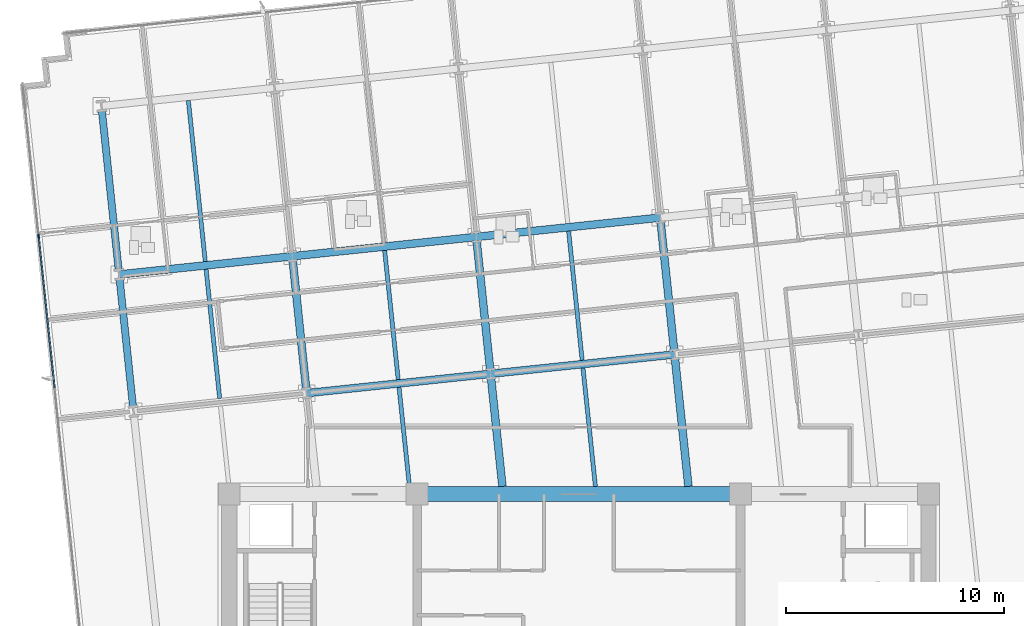
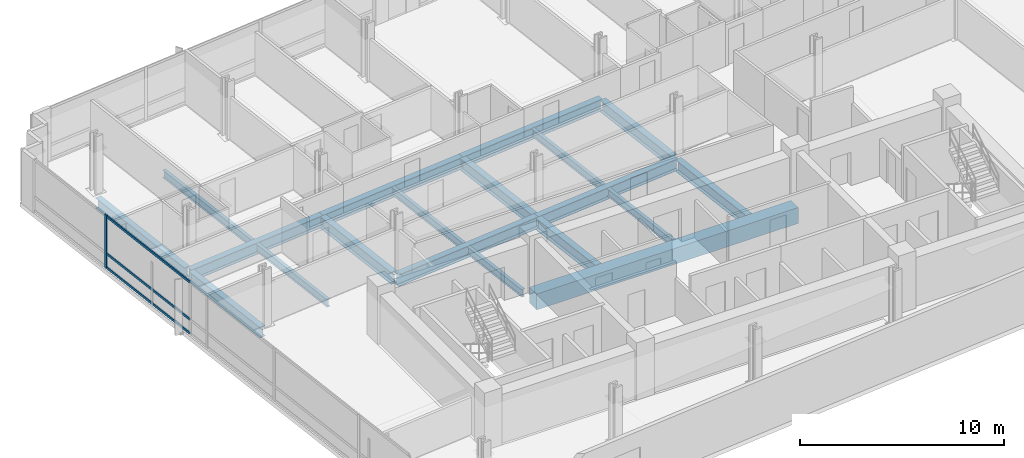
# One storey, part 3 of 18: 19 beams, 4 members, 1 element without a shape of its own.
"""IFC4 building model written with IfcOpenShell, lengths in metres."""

from ifc_helpers import new_model, si_unit, direction, frame, origin, origin_2d, place, context, subcontext, project, spatial, rectangle, i_section, extrude, material, material_profile, profile_set, type_object, element, aggregate, save


model = new_model("IFC4")

# Units and contexts
model_context = context("Model", 3, precision=1e-05, world=origin(), true_north=direction((0.0, 1.0)))
body_context = subcontext(model_context, "Body", "Model", "MODEL_VIEW")
ifc_project = project(units=[si_unit("LENGTHUNIT", "METRE"), si_unit("AREAUNIT", "SQUARE_METRE"), si_unit("VOLUMEUNIT", "CUBIC_METRE"), si_unit("PLANEANGLEUNIT", "RADIAN"), si_unit("MASSUNIT", "GRAM", prefix="KILO")], contexts=[model_context])

# Site, building, storey
site_placement = place(None, origin())
site = spatial("IfcSite", under=ifc_project, at=site_placement, CompositionType="ELEMENT")
building_placement = place(site_placement, origin())
building = spatial("IfcBuilding", under=site, at=building_placement, Name="Solmavex Isthmus Hotel", CompositionType="ELEMENT")
storey_placement = place(building_placement, frame((0.0, 0.0, 120.14990234375)))
storey = spatial("IfcBuildingStorey", under=building, at=storey_placement, Name="L32", CompositionType="ELEMENT", Elevation=120.14990234375)

# Beams
ifc_material_1 = material(Name="Steel ASTM A992 Grade 50", Category="steel")
ifc_material_profile_1 = material_profile(ifc_material_1, i_section(OverallWidth=0.354736328125, OverallDepth=0.695556640625, WebThickness=0.015380859375, FlangeThickness=0.02490234375, FilletRadius=0.017822265625, at=origin_2d()), Name="W27X146")
ifc_profile_set_1 = profile_set([ifc_material_profile_1], Name="Steel ASTM A992 Grade 50")
beam_type_1 = type_object("IfcBeamType", Name="BM-BG-W27X146", PredefinedType="BEAM", material=ifc_profile_set_1)
beam_1_placement = place(storey_placement, frame((-12.458740234375, 2.11865234375, -0.607666015625), z_axis=(0.994521085209, 0.104536171134, 0.0), x_axis=(-0.104536171134, 0.994521085209, 0.0)))
element("IfcBeam", 1, at=beam_1_placement, inside=storey, type_object=beam_type_1, Name="Floor Girder L32-UG08", PredefinedType="BEAM", context=body_context, shape_type="SweptSolid", body=[
    extrude(i_section(OverallWidth=0.354736328125, OverallDepth=0.695556640625, WebThickness=0.015380859375, FlangeThickness=0.02490234375, FilletRadius=0.017822265625, at=origin_2d()), origin(), (0.0, 0.0, 1.0), 8.466064453125),
])
beam_2_placement = place(storey_placement, frame((-4.0390625, 3.003662109375, -0.607666015625), z_axis=(0.994523767887, 0.104510645909, 0.0), x_axis=(-0.104510645909, 0.994523767887, 0.0)))
element("IfcBeam", 2, at=beam_2_placement, inside=storey, type_object=beam_type_1, Name="Floor Girder L32-UG09", PredefinedType="BEAM", context=body_context, shape_type="SweptSolid", body=[
    extrude(i_section(OverallWidth=0.354736328125, OverallDepth=0.695556640625, WebThickness=0.015380859375, FlangeThickness=0.02490234375, FilletRadius=0.017822265625, at=origin_2d()), origin(), (0.0, 0.0, 1.0), 8.4658203125),
])
beam_3_placement = place(storey_placement, frame((-21.04150390625, 7.54931640625, -0.607666015625), z_axis=(0.994523402738, 0.104514120609, 0.0), x_axis=(-0.104514120609, 0.994523402738, 0.0)))
element("IfcBeam", 3, at=beam_3_placement, inside=storey, type_object=beam_type_1, Name="Floor Girder L32-UG13", PredefinedType="BEAM", context=body_context, shape_type="SweptSolid", body=[
    extrude(i_section(OverallWidth=0.354736328125, OverallDepth=0.695556640625, WebThickness=0.015380859375, FlangeThickness=0.02490234375, FilletRadius=0.017822265625, at=origin_2d()), origin(), (0.0, 0.0, 1.0), 7.968017578125),
])
for number, where, z_axis, x_axis, name in (
    (4, (-13.1171875, 8.382080078125, -0.607666015625), (0.994521085209, 0.104536171134, 0.0), (-0.104536171134, 0.994521085209, 0.0), "Floor Girder L32-UG14"),
    (5, (-4.697509765625, 9.26708984375, -0.607666015625), (0.994521085209, 0.104536171134, 0.0), (-0.104536171134, 0.994521085209, 0.0), "Floor Girder L32-UG15"),
):
    element("IfcBeam", number, at=place(storey_placement, frame(where, z_axis=z_axis, x_axis=x_axis)), inside=storey, type_object=beam_type_1, Name=name, PredefinedType="BEAM", context=body_context, shape_type="SweptSolid", body=[
        extrude(i_section(OverallWidth=0.354736328125, OverallDepth=0.695556640625, WebThickness=0.015380859375, FlangeThickness=0.02490234375, FilletRadius=0.017822265625, at=origin_2d()), origin(), (0.0, 0.0, 1.0), 8.466064453125),
    ])
beam_4_placement = place(storey_placement, frame((-12.477294921875, 2.295166015625, -0.607666015625), z_axis=(-0.104545790518, 0.994520074048, 0.0), x_axis=(-0.994520074048, -0.104545790518, 0.0)))
element("IfcBeam", 6, at=beam_4_placement, inside=storey, type_object=beam_type_1, Name="Floor Beam L32-VG30", PredefinedType="BEAM", context=body_context, shape_type="SweptSolid", body=[
    extrude(i_section(OverallWidth=0.354736328125, OverallDepth=0.695556640625, WebThickness=0.015380859375, FlangeThickness=0.02490234375, FilletRadius=0.017822265625, at=origin_2d()), origin(), (0.0, 0.0, 1.0), 5.943115234375),
])
beam_5_placement = place(storey_placement, frame((-3.49755859375, -2.14990234375, -0.607666015625), z_axis=(-0.104496861251, 0.994525216366, 0.0), x_axis=(-0.994525216366, -0.104496861251, 0.0)))
element("IfcBeam", 7, at=beam_5_placement, inside=storey, type_object=beam_type_1, Name="Floor Beam L32-VG33", PredefinedType="BEAM", context=body_context, shape_type="SweptSolid", body=[
    extrude(i_section(OverallWidth=0.354736328125, OverallDepth=0.695556640625, WebThickness=0.015380859375, FlangeThickness=0.02490234375, FilletRadius=0.017822265625, at=origin_2d()), origin(), (0.0, 0.0, 1.0), 5.00439453125),
])
beam_6_placement = place(storey_placement, frame((-4.0576171875, 3.179931640625, -0.607666015625), z_axis=(-0.104545790518, 0.994520074048, 0.0), x_axis=(-0.994520074048, -0.104545790518, 0.0)))
element("IfcBeam", 8, at=beam_6_placement, inside=storey, type_object=beam_type_1, Name="Floor Beam L32-VG34", PredefinedType="BEAM", context=body_context, shape_type="SweptSolid", body=[
    extrude(i_section(OverallWidth=0.354736328125, OverallDepth=0.695556640625, WebThickness=0.015380859375, FlangeThickness=0.02490234375, FilletRadius=0.017822265625, at=origin_2d()), origin(), (0.0, 0.0, 1.0), 5.943115234375),
])
beam_7_placement = place(storey_placement, frame((5.01513671875, -2.14990234375, -0.607666015625), z_axis=(-0.104542482388, 0.994520421799, 0.0), x_axis=(-0.994520421799, -0.104542482388, 0.0)))
element("IfcBeam", 9, at=beam_7_placement, inside=storey, type_object=beam_type_1, Name="Floor Beam L32-VG37", PredefinedType="BEAM", context=body_context, shape_type="SweptSolid", body=[
    extrude(i_section(OverallWidth=0.354736328125, OverallDepth=0.695556640625, WebThickness=0.015380859375, FlangeThickness=0.02490234375, FilletRadius=0.017822265625, at=origin_2d()), origin(), (0.0, 0.0, 1.0), 5.894287109375),
])
beam_8_placement = place(storey_placement, frame((4.362060546875, 4.06494140625, -0.607666015625), z_axis=(-0.104545790518, 0.994520074048, 0.0), x_axis=(-0.994520074048, -0.104545790518, 0.0)))
element("IfcBeam", 10, at=beam_8_placement, inside=storey, type_object=beam_type_1, Name="Floor Beam L32-VG38", PredefinedType="BEAM", context=body_context, shape_type="SweptSolid", body=[
    extrude(i_section(OverallWidth=0.354736328125, OverallDepth=0.695556640625, WebThickness=0.015380859375, FlangeThickness=0.02490234375, FilletRadius=0.017822265625, at=origin_2d()), origin(), (0.0, 0.0, 1.0), 5.943115234375),
])
ifc_material_profile_2 = material_profile(ifc_material_1, i_section(OverallWidth=0.1904296875, OverallDepth=0.456787109375, WebThickness=0.009033203125, FlangeThickness=0.014404296875, FilletRadius=0.0126953125, at=origin_2d()), Name="W18X50")
ifc_profile_set_2 = profile_set([ifc_material_profile_2], Name="Steel ASTM A992 Grade 50")
beam_type_2 = type_object("IfcBeamType", Name="BM-BJ-W18X50", PredefinedType="JOIST", material=ifc_profile_set_2)
beam_9_placement = place(storey_placement, frame((-16.439453125, 1.878662109375, -0.48828125), z_axis=(-0.104545790518, 0.994520074048, 0.0), x_axis=(-0.994520074048, -0.104545790518, 0.0)))
element("IfcBeam", 11, at=beam_9_placement, inside=storey, type_object=beam_type_2, Name="Secondary Floor Joist L32-J03", PredefinedType="JOIST", context=body_context, shape_type="SweptSolid", body=[
    extrude(i_section(OverallWidth=0.1904296875, OverallDepth=0.456787109375, WebThickness=0.009033203125, FlangeThickness=0.014404296875, FilletRadius=0.0126953125, at=origin_2d()), origin(), (0.0, 0.0, 1.0), 5.943115234375),
])
beam_10_placement = place(storey_placement, frame((-17.097900390625, 8.14208984375, -0.48828125), z_axis=(-0.104525307271, 0.994522227072, 0.0), x_axis=(-0.994522227072, -0.104525307271, 0.0)))
element("IfcBeam", 12, at=beam_10_placement, inside=storey, type_object=beam_type_2, Name="Secondary Floor Joist L32-J04", PredefinedType="JOIST", context=body_context, shape_type="SweptSolid", body=[
    extrude(i_section(OverallWidth=0.1904296875, OverallDepth=0.456787109375, WebThickness=0.009033203125, FlangeThickness=0.014404296875, FilletRadius=0.0126953125, at=origin_2d()), origin(), (0.0, 0.0, 1.0), 7.4111328125),
])
beam_11_placement = place(storey_placement, frame((-7.75390625, -2.14990234375, -0.48828125), z_axis=(-0.104517550263, 0.994523042311, 0.0), x_axis=(-0.994523042311, -0.104517550263, 0.0)))
element("IfcBeam", 13, at=beam_11_placement, inside=storey, type_object=beam_type_2, Name="Secondary Floor Joist L32-J06", PredefinedType="JOIST", context=body_context, shape_type="SweptSolid", body=[
    extrude(i_section(OverallWidth=0.1904296875, OverallDepth=0.456787109375, WebThickness=0.009033203125, FlangeThickness=0.014404296875, FilletRadius=0.0126953125, at=origin_2d()), origin(), (0.0, 0.0, 1.0), 4.5595703125),
])
beam_12_placement = place(storey_placement, frame((-8.267578125, 2.737548828125, -0.48828125), z_axis=(-0.104505160346, 0.994524344328, 0.0), x_axis=(-0.994524344328, -0.104505160346, 0.0)))
element("IfcBeam", 14, at=beam_12_placement, inside=storey, type_object=beam_type_2, Name="Secondary Floor Joist L32-J07", PredefinedType="JOIST", context=body_context, shape_type="SweptSolid", body=[
    extrude(i_section(OverallWidth=0.1904296875, OverallDepth=0.456787109375, WebThickness=0.009033203125, FlangeThickness=0.014404296875, FilletRadius=0.0126953125, at=origin_2d()), origin(), (0.0, 0.0, 1.0), 5.943115234375),
])
beam_13_placement = place(storey_placement, frame((0.7587890625, -2.14990234375, -0.48828125), z_axis=(-0.104523862956, 0.99452237887, 0.0), x_axis=(-0.99452237887, -0.104523862956, 0.0)))
element("IfcBeam", 15, at=beam_13_placement, inside=storey, type_object=beam_type_2, Name="Secondary Floor Joist L32-J10", PredefinedType="JOIST", context=body_context, shape_type="SweptSolid", body=[
    extrude(i_section(OverallWidth=0.1904296875, OverallDepth=0.456787109375, WebThickness=0.009033203125, FlangeThickness=0.014404296875, FilletRadius=0.0126953125, at=origin_2d()), origin(), (0.0, 0.0, 1.0), 5.44921875),
])
beam_14_placement = place(storey_placement, frame((0.152099609375, 3.62255859375, -0.48828125), z_axis=(-0.104505160346, 0.994524344328, 0.0), x_axis=(-0.994524344328, -0.104505160346, 0.0)))
element("IfcBeam", 16, at=beam_14_placement, inside=storey, type_object=beam_type_2, Name="Secondary Floor Joist L32-J11", PredefinedType="JOIST", context=body_context, shape_type="SweptSolid", body=[
    extrude(i_section(OverallWidth=0.1904296875, OverallDepth=0.456787109375, WebThickness=0.009033203125, FlangeThickness=0.014404296875, FilletRadius=0.0126953125, at=origin_2d()), origin(), (0.0, 0.0, 1.0), 5.943115234375),
])
ifc_material_2 = material(Name="Concrete C60/75", Category="concrete")
ifc_material_profile_3 = material_profile(ifc_material_2, rectangle(XDim=0.699951171875, YDim=0.949951171875, at=origin_2d()), Name="RC700X950")
ifc_profile_set_3 = profile_set([ifc_material_profile_3], Name="Concrete C60/75")
beam_type_3 = type_object("IfcBeamType", Name="BM-CB-700X950", PredefinedType="BEAM", material=ifc_profile_set_3)
beam_15_placement = place(storey_placement, frame((-7.39990234375, -2.5, -0.73486328125), z_axis=(1.0, 0.0, 0.0), x_axis=(0.0, 1.0, 0.0)))
element("IfcBeam", 17, at=beam_15_placement, inside=storey, type_object=beam_type_3, Name="Core Coupling Beam L32-CB5", PredefinedType="BEAM", context=body_context, shape_type="SweptSolid", body=[
    extrude(rectangle(XDim=0.699951171875, YDim=0.949951171875, at=origin_2d()), origin(), (0.0, 0.0, 1.0), 14.7998046875),
])
ifc_material_profile_4 = material_profile(ifc_material_1, i_section(OverallWidth=0.326416015625, OverallDepth=0.621826171875, WebThickness=0.015380859375, FlangeThickness=0.0244140625, FilletRadius=0.01513671875, at=origin_2d()), Name="W24X131")
ifc_profile_set_4 = profile_set([ifc_material_profile_4], Name="Steel ASTM A992 Grade 50")
beam_type_4 = type_object("IfcBeamType", Name="BM-SP-W24X131", PredefinedType="SPANDREL", material=ifc_profile_set_4)
beam_16_placement = place(storey_placement, frame((-20.401611328125, 1.462158203125, -0.57080078125), z_axis=(-0.104545790518, 0.994520074048, 0.0), x_axis=(-0.994520074048, -0.104545790518, 0.0)))
element("IfcBeam", 18, at=beam_16_placement, inside=storey, type_object=beam_type_4, Name="Floor Beam L32-VG26", PredefinedType="SPANDREL", context=body_context, shape_type="SweptSolid", body=[
    extrude(i_section(OverallWidth=0.326416015625, OverallDepth=0.621826171875, WebThickness=0.015380859375, FlangeThickness=0.0244140625, FilletRadius=0.01513671875, at=origin_2d()), origin(), (0.0, 0.0, 1.0), 5.943115234375),
])
beam_17_placement = place(storey_placement, frame((-21.06005859375, 7.7255859375, -0.57080078125), z_axis=(-0.10452188296, 0.994522586964, 0.0), x_axis=(-0.994522586964, -0.10452188296, 0.0)))
element("IfcBeam", 19, at=beam_17_placement, inside=storey, type_object=beam_type_4, Name="Floor Beam L32-VG27", PredefinedType="SPANDREL", context=body_context, shape_type="SweptSolid", body=[
    extrude(i_section(OverallWidth=0.326416015625, OverallDepth=0.621826171875, WebThickness=0.015380859375, FlangeThickness=0.0244140625, FilletRadius=0.01513671875, at=origin_2d()), origin(), (0.0, 0.0, 1.0), 7.411376953125),
])

# Curtain wall, members
ifc_material_3 = material(Name="Aluminium alloy 6063-T6", Category="aluminium")
curtain_wall_type = type_object("IfcCurtainWallType", Name="CW-SYS-03", PredefinedType="NOTDEFINED", material=ifc_material_3)
curtain_wall_placement = place(storey_placement, origin())
curtain_wall = element("IfcCurtainWall", 20, at=curtain_wall_placement, inside=storey, type_object=curtain_wall_type, Name="Stick Curtain Wall CWL-L32-W1", PredefinedType="NOTDEFINED")
ifc_material_profile_5 = material_profile(ifc_material_3, rectangle(XDim=0.070068359375, YDim=0.179931640625, at=origin_2d()), Name="CWM-70X180")
ifc_profile_set_5 = profile_set([ifc_material_profile_5], Name="Aluminium alloy 6063-T6")
member_type_1 = type_object("IfcMemberType", Name="CW-SYS-03-MUL", PredefinedType="MULLION", material=ifc_profile_set_5)
member_1_placement = place(storey_placement, frame((-24.725341796875, 9.305908203125, 0.0), z_axis=(0.0, 0.0, 1.0), x_axis=(-0.994521893044, -0.104528485381, 0.0)))
member_1 = element("IfcMember", 21, at=member_1_placement, type_object=member_type_1, Name="CW-03 mullion 5", PredefinedType="MULLION", context=body_context, shape_type="SweptSolid", body=[
    extrude(rectangle(XDim=0.070068359375, YDim=0.179931640625, at=origin_2d()), origin(), (0.0, 0.0, 1.0), 3.190185546875),
])
ifc_material_profile_6 = material_profile(ifc_material_3, rectangle(XDim=0.070068359375, YDim=0.139892578125, at=origin_2d()), Name="CWT-70X140")
ifc_profile_set_6 = profile_set([ifc_material_profile_6], Name="Aluminium alloy 6063-T6")
member_type_2 = type_object("IfcMemberType", Name="CW-SYS-03-TRN", PredefinedType="USERDEFINED", material=ifc_profile_set_6)
member_2_placement = place(storey_placement, frame((-23.9951171875, 2.359130859375, 0.070068359375), z_axis=(-0.104542152467, 0.99452045648, 0.0), x_axis=(-0.99452045648, -0.104542152467, 0.0)))
member_2 = element("IfcMember", 22, at=member_2_placement, type_object=member_type_2, Name="CW-03 transom 4.1", ObjectType="TRANSOM", PredefinedType="USERDEFINED", context=body_context, shape_type="SweptSolid", body=[
    extrude(rectangle(XDim=0.070068359375, YDim=0.139892578125, at=origin_2d()), origin(), (0.0, 0.0, 1.0), 6.949951171875),
])
member_3_placement = place(storey_placement, frame((-23.9951171875, 2.359130859375, 0.900146484375), z_axis=(-0.104542152467, 0.99452045648, 0.0), x_axis=(-0.99452045648, -0.104542152467, 0.0)))
member_3 = element("IfcMember", 23, at=member_3_placement, type_object=member_type_2, Name="CW-03 transom 4.2", ObjectType="TRANSOM", PredefinedType="USERDEFINED", context=body_context, shape_type="SweptSolid", body=[
    extrude(rectangle(XDim=0.070068359375, YDim=0.139892578125, at=origin_2d()), origin(), (0.0, 0.0, 1.0), 6.949951171875),
])
member_4_placement = place(storey_placement, frame((-23.9951171875, 2.359130859375, 3.1201171875), z_axis=(-0.104542152467, 0.99452045648, 0.0), x_axis=(-0.99452045648, -0.104542152467, 0.0)))
member_4 = element("IfcMember", 24, at=member_4_placement, type_object=member_type_2, Name="CW-03 transom 4.3", ObjectType="TRANSOM", PredefinedType="USERDEFINED", context=body_context, shape_type="SweptSolid", body=[
    extrude(rectangle(XDim=0.070068359375, YDim=0.139892578125, at=origin_2d()), origin(), (0.0, 0.0, 1.0), 6.949951171875),
])
aggregate(curtain_wall, [member_1, member_2, member_3, member_4])

save(model, "model.ifc")
